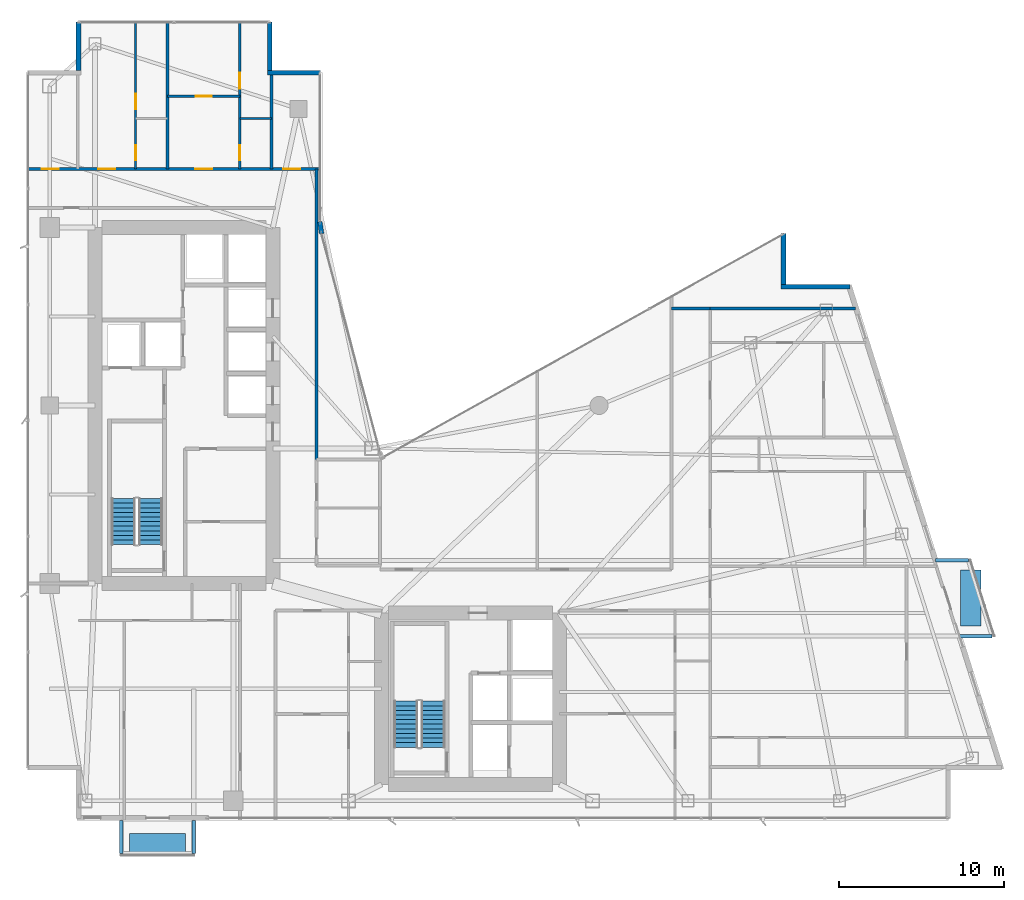
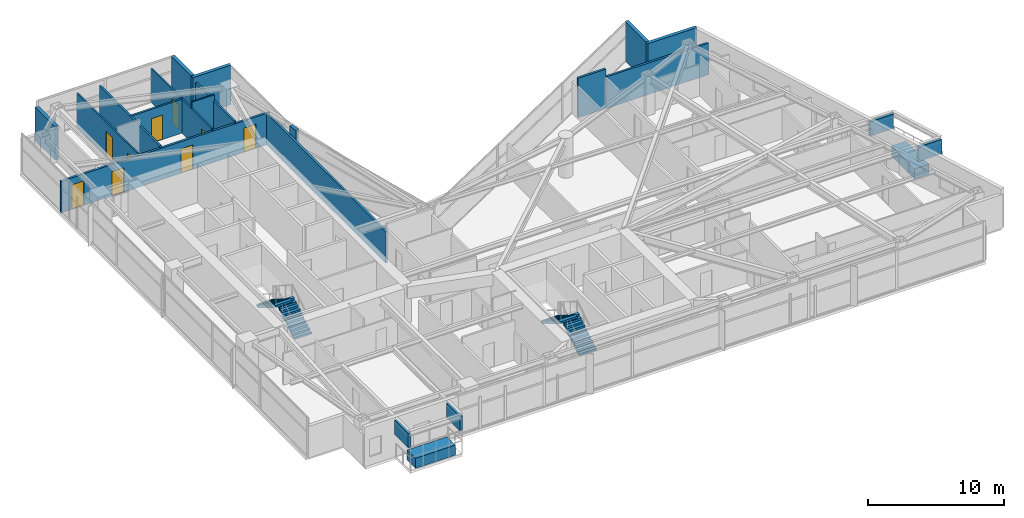
# One storey, part 25 of 28: 16 walls, 9 doors, 6 discrete accessories, 4 stair flights, 9 openings, 2 elements without a shape of their own.
"""IFC4 building model written with IfcOpenShell, lengths in metres."""

from ifc_helpers import new_model, si_unit, direction, frame, frame_2d, origin, origin_2d, place, context, subcontext, project, spatial, polyline, rectangle, outline, extrude, material, layer, layer_set, type_object, element, fill, aggregate, save


model = new_model("IFC4")

# Units and contexts
model_context = context("Model", 3, precision=1e-05, world=origin(), true_north=direction((0.0, 1.0)))
body_context = subcontext(model_context, "Body", "Model", "MODEL_VIEW")
ifc_project = project(units=[si_unit("LENGTHUNIT", "METRE"), si_unit("AREAUNIT", "SQUARE_METRE"), si_unit("VOLUMEUNIT", "CUBIC_METRE"), si_unit("PLANEANGLEUNIT", "RADIAN"), si_unit("MASSUNIT", "GRAM", prefix="KILO")], contexts=[model_context])

# Site, building, storey
site_placement = place(None, origin())
site = spatial("IfcSite", under=ifc_project, at=site_placement, CompositionType="ELEMENT")
building_placement = place(site_placement, origin())
building = spatial("IfcBuilding", under=site, at=building_placement, Name="Calvorn Quay Hotel", CompositionType="ELEMENT")
storey_placement = place(building_placement, frame((0.0, 0.0, 127.800048828125)))
storey = spatial("IfcBuildingStorey", under=building, at=storey_placement, Name="L31", CompositionType="ELEMENT", Elevation=127.800048828125)

# Wall, openings, doors
ifc_material_1 = material(Name="Acoustic Fireboard Steel-Stud Partition", Category="steel")
ifc_layer_1 = layer(ifc_material_1, 0.179931640625)
ifc_layer_set_1 = layer_set([ifc_layer_1], Name="WL-CORR-FIRE-180")
wall_type_1 = type_object("IfcWallType", Name="WL-CORR-FIRE-180", PredefinedType="PARTITIONING", material=ifc_layer_set_1)
wall_1_placement = place(storey_placement, frame((0.080078125, 41.949951171875, 0.0), z_axis=(0.0, 0.0, 1.0), x_axis=(1.0, 0.0, 0.0)))
wall_1 = element("IfcWall", 1, at=wall_1_placement, inside=storey, type_object=wall_type_1, Name="Partition Wall L31-WL-CORR-NW-N", PredefinedType="PARTITIONING", context=body_context, shape_type="SweptSolid", body=[
    extrude(rectangle(XDim=17.77001953125, YDim=0.179931640625, at=frame_2d((8.885009765625, 0.0))), origin(), (0.0, 0.0, 1.0), 2.83984375),
])
opening_1_placement = place(wall_1_placement, frame((0.89990234375, 0.0, 0.0)))
opening_1 = element("IfcOpeningElement", 2, at=opening_1_placement, cuts=wall_1, Name="Opening D-L31-NWW", PredefinedType="OPENING", context=body_context, shape_type="SweptSolid", body=[
    extrude(rectangle(XDim=1.02001953125, YDim=2.199951171875, at=frame_2d((0.510009765625, 1.10009765625))), frame((0.0, 0.099853515625, 0.0), z_axis=(0.0, -1.0, 0.0), x_axis=(1.0, 0.0, 0.0)), (0.0, 0.0, 1.0), 0.199951171875),
])
opening_2_placement = place(wall_1_placement, frame((4.320068359375, 0.0, 0.0)))
opening_2 = element("IfcOpeningElement", 3, at=opening_2_placement, cuts=wall_1, Name="Opening D-L31-U03", PredefinedType="OPENING", context=body_context, shape_type="SweptSolid", body=[
    extrude(rectangle(XDim=1.02001953125, YDim=2.199951171875, at=frame_2d((0.510009765625, 1.10009765625))), frame((0.0, 0.099853515625, 0.0), z_axis=(0.0, -1.0, 0.0), x_axis=(1.0, 0.0, 0.0)), (0.0, 0.0, 1.0), 0.199951171875),
])
opening_3_placement = place(wall_1_placement, frame((10.2099609375, 0.0, 0.0)))
opening_3 = element("IfcOpeningElement", 4, at=opening_3_placement, cuts=wall_1, Name="Opening D-L31-U04", PredefinedType="OPENING", context=body_context, shape_type="SweptSolid", body=[
    extrude(rectangle(XDim=1.02001953125, YDim=2.199951171875, at=frame_2d((0.510009765625, 1.10009765625))), frame((0.0, 0.099853515625, 0.0), z_axis=(0.0, -1.0, 0.0), x_axis=(1.0, 0.0, 0.0)), (0.0, 0.0, 1.0), 0.199951171875),
])
opening_4_placement = place(wall_1_placement, frame((15.550048828125, 0.0, 0.0)))
opening_4 = element("IfcOpeningElement", 5, at=opening_4_placement, cuts=wall_1, Name="Opening D-L31-NWE", PredefinedType="OPENING", context=body_context, shape_type="SweptSolid", body=[
    extrude(rectangle(XDim=1.02001953125, YDim=2.199951171875, at=frame_2d((0.510009765625, 1.10009765625))), frame((0.0, 0.099853515625, 0.0), z_axis=(0.0, -1.0, 0.0), x_axis=(1.0, 0.0, 0.0)), (0.0, 0.0, 1.0), 0.199951171875),
])
ifc_material_2 = material(Name="Solid-Core Walnut Veneer Hotel Fire Door")
door_type_1 = type_object("IfcDoorType", Name="DR-GUEST-ENTRY-1020", OperationType="NOTDEFINED", PredefinedType="DOOR", material=ifc_material_2)
door_1_placement = place(opening_1_placement, origin())
door_1 = element("IfcDoor", 6, at=door_1_placement, inside=storey, type_object=door_type_1, Name="West Corner Study Door (L31)", OperationType="SINGLE_SWING_LEFT", OverallHeight=2.199951171875, OverallWidth=1.02001953125, PredefinedType="DOOR", context=body_context, shape_type="SweptSolid", body=[
    extrude(rectangle(XDim=1.02001953125, YDim=2.199951171875, at=frame_2d((0.510009765625, 1.10009765625))), frame((0.0, 0.02490234375, 0.0), z_axis=(0.0, -1.0, 0.0), x_axis=(1.0, 0.0, 0.0)), (0.0, 0.0, 1.0), 0.050048828125),
])
fill(opening_1, door_1)
door_2_placement = place(opening_2_placement, origin())
door_2 = element("IfcDoor", 7, at=door_2_placement, inside=storey, type_object=door_type_1, Name="North-West Unit Door U03 (L31)", OperationType="SINGLE_SWING_RIGHT", OverallHeight=2.199951171875, OverallWidth=1.02001953125, PredefinedType="DOOR", context=body_context, shape_type="SweptSolid", body=[
    extrude(rectangle(XDim=1.02001953125, YDim=2.199951171875, at=frame_2d((0.510009765625, 1.10009765625))), frame((0.0, 0.02490234375, 0.0), z_axis=(0.0, -1.0, 0.0), x_axis=(1.0, 0.0, 0.0)), (0.0, 0.0, 1.0), 0.050048828125),
])
fill(opening_2, door_2)
door_3_placement = place(opening_3_placement, origin())
door_3 = element("IfcDoor", 8, at=door_3_placement, inside=storey, type_object=door_type_1, Name="North-West Unit Door U04 (L31)", OperationType="SINGLE_SWING_LEFT", OverallHeight=2.199951171875, OverallWidth=1.02001953125, PredefinedType="DOOR", context=body_context, shape_type="SweptSolid", body=[
    extrude(rectangle(XDim=1.02001953125, YDim=2.199951171875, at=frame_2d((0.510009765625, 1.10009765625))), frame((0.0, 0.02490234375, 0.0), z_axis=(0.0, -1.0, 0.0), x_axis=(1.0, 0.0, 0.0)), (0.0, 0.0, 1.0), 0.050048828125),
])
fill(opening_3, door_3)
door_4_placement = place(opening_4_placement, origin())
door_4 = element("IfcDoor", 9, at=door_4_placement, inside=storey, type_object=door_type_1, Name="Inner Court Study Door (L31)", OperationType="SINGLE_SWING_RIGHT", OverallHeight=2.199951171875, OverallWidth=1.02001953125, PredefinedType="DOOR", context=body_context, shape_type="SweptSolid", body=[
    extrude(rectangle(XDim=1.02001953125, YDim=2.199951171875, at=frame_2d((0.510009765625, 1.10009765625))), frame((0.0, 0.02490234375, 0.0), z_axis=(0.0, -1.0, 0.0), x_axis=(1.0, 0.0, 0.0)), (0.0, 0.0, 1.0), 0.050048828125),
])
fill(opening_4, door_4)

# Walls
wall_2_placement = place(storey_placement, frame((17.64990234375, 24.300048828125, 0.0), z_axis=(0.0, 0.0, 1.0), x_axis=(0.0, 1.0, 0.0)))
element("IfcWall", 10, at=wall_2_placement, inside=storey, type_object=wall_type_1, Name="Partition Wall L31-WL-NW-CLOSURE-E", PredefinedType="PARTITIONING", context=body_context, shape_type="SweptSolid", body=[
    extrude(rectangle(XDim=17.64990234375, YDim=0.179931640625, at=frame_2d((8.824951171875, 0.0))), origin(), (0.0, 0.0, 1.0), 2.83984375),
])
wall_3_placement = place(storey_placement, frame((41.550048828125, 33.47998046875, 0.0), z_axis=(0.0, 0.0, 1.0), x_axis=(1.0, 0.0, 0.0)))
element("IfcWall", 11, at=wall_3_placement, inside=storey, type_object=wall_type_1, Name="Partition Wall L31-WL-TIP-N", PredefinedType="PARTITIONING", context=body_context, shape_type="SweptSolid", body=[
    extrude(rectangle(XDim=8.81005859375, YDim=0.179931640625, at=frame_2d((4.405029296875, 0.0))), origin(), (0.0, 0.0, 1.0), 2.83984375),
])
wall_4_placement = place(storey_placement, frame((39.199951171875, 33.47998046875, 0.0), z_axis=(0.0, 0.0, 1.0), x_axis=(1.0, 0.0, 0.0)))
element("IfcWall", 12, at=wall_4_placement, inside=storey, type_object=wall_type_1, Name="Partition Wall L31-WL-CORR-TIP-NN", PredefinedType="PARTITIONING", context=body_context, shape_type="SweptSolid", body=[
    extrude(rectangle(XDim=2.35009765625, YDim=0.179931640625, at=frame_2d((1.175048828125, 0.0))), origin(), (0.0, 0.0, 1.0), 3.56005859375),
])

# Wall, openings, doors
ifc_material_3 = material(Name="Moisture-Resistant Tile-Backed Partition")
ifc_layer_2 = layer(ifc_material_3, 0.125)
ifc_layer_set_2 = layer_set([ifc_layer_2], Name="WL-ENSUITE-125")
wall_type_2 = type_object("IfcWallType", Name="WL-ENSUITE-125", PredefinedType="PARTITIONING", material=ifc_layer_set_2)
wall_5_placement = place(storey_placement, frame((6.669921875, 41.949951171875, 0.0), z_axis=(0.0, 0.0, 1.0), x_axis=(0.0, 1.0, 0.0)))
wall_5 = element("IfcWall", 13, at=wall_5_placement, inside=storey, type_object=wall_type_2, Name="Partition Wall L31-WL-U03-BV", PredefinedType="PARTITIONING", context=body_context, shape_type="SweptSolid", body=[
    extrude(rectangle(XDim=8.989990234375, YDim=0.125, at=frame_2d((4.4951171875, 0.0))), origin(), (0.0, 0.0, 1.0), 3.0400390625),
])
opening_5_placement = place(wall_5_placement, frame((0.550048828125, 0.0, 0.0)))
opening_5 = element("IfcOpeningElement", 14, at=opening_5_placement, cuts=wall_5, Name="Opening D-L31-E03", PredefinedType="OPENING", context=body_context, shape_type="SweptSolid", body=[
    extrude(rectangle(XDim=0.89990234375, YDim=2.14990234375, at=frame_2d((0.449951171875, 1.074951171875))), frame((0.0, 0.072509765625, 0.0), z_axis=(0.0, -1.0, 0.0), x_axis=(1.0, 0.0, 0.0)), (0.0, 0.0, 1.0), 0.14501953125),
])
opening_6_placement = place(wall_5_placement, frame((3.6201171875, 0.0, 0.0)))
opening_6 = element("IfcOpeningElement", 15, at=opening_6_placement, cuts=wall_5, Name="Opening D-L31-S03", PredefinedType="OPENING", context=body_context, shape_type="SweptSolid", body=[
    extrude(rectangle(XDim=0.9599609375, YDim=2.199951171875, at=frame_2d((0.47998046875, 1.10009765625))), frame((0.0, 0.072509765625, 0.0), z_axis=(0.0, -1.0, 0.0), x_axis=(1.0, 0.0, 0.0)), (0.0, 0.0, 1.0), 0.14501953125),
])
ifc_material_4 = material(Name="Moisture-Sealed Timber En-Suite Door", Category="wood")
door_type_2 = type_object("IfcDoorType", Name="DR-ENSUITE-900", OperationType="NOTDEFINED", PredefinedType="DOOR", material=ifc_material_4)
door_5_placement = place(opening_5_placement, origin())
door_5 = element("IfcDoor", 16, at=door_5_placement, inside=storey, type_object=door_type_2, Name="En-Suite Door 03", OperationType="SINGLE_SWING_LEFT", OverallHeight=2.14990234375, OverallWidth=0.89990234375, PredefinedType="DOOR", context=body_context, shape_type="SweptSolid", body=[
    extrude(rectangle(XDim=0.89990234375, YDim=2.14990234375, at=frame_2d((0.449951171875, 1.074951171875))), frame((0.0, 0.02490234375, 0.0), z_axis=(0.0, -1.0, 0.0), x_axis=(1.0, 0.0, 0.0)), (0.0, 0.0, 1.0), 0.050048828125),
])
fill(opening_5, door_5)
ifc_material_5 = material(Name="Solid Timber Internal Suite Door", Category="wood")
door_type_3 = type_object("IfcDoorType", Name="DR-SUITE-INT-960", OperationType="NOTDEFINED", PredefinedType="DOOR", material=ifc_material_5)
door_6_placement = place(opening_6_placement, origin())
door_6 = element("IfcDoor", 17, at=door_6_placement, inside=storey, type_object=door_type_3, Name="Walk-In Wardrobe Door 03", OperationType="SINGLE_SWING_RIGHT", OverallHeight=2.199951171875, OverallWidth=0.9599609375, PredefinedType="DOOR", context=body_context, shape_type="SweptSolid", body=[
    extrude(rectangle(XDim=0.9599609375, YDim=2.199951171875, at=frame_2d((0.47998046875, 1.10009765625))), frame((0.0, 0.02490234375, 0.0), z_axis=(0.0, -1.0, 0.0), x_axis=(1.0, 0.0, 0.0)), (0.0, 0.0, 1.0), 0.050048828125),
])
fill(opening_6, door_6)

# Wall
wall_6_placement = place(storey_placement, frame((12.989990234375, 45.02001953125, 0.0), z_axis=(0.0, 0.0, 1.0), x_axis=(1.0, 0.0, 0.0)))
element("IfcWall", 18, at=wall_6_placement, inside=storey, type_object=wall_type_2, Name="Partition Wall L31-WL-U04-BDV", PredefinedType="PARTITIONING", context=body_context, shape_type="SweptSolid", body=[
    extrude(rectangle(XDim=1.929931640625, YDim=0.125, at=frame_2d((0.96484375, 0.0))), origin(), (0.0, 0.0, 1.0), 3.56005859375),
])

# Wall, openings, doors
wall_7_placement = place(storey_placement, frame((12.989990234375, 41.949951171875, 0.0), z_axis=(0.0, 0.0, 1.0), x_axis=(0.0, 1.0, 0.0)))
wall_7 = element("IfcWall", 19, at=wall_7_placement, inside=storey, type_object=wall_type_2, Name="Partition Wall L31-WL-U04-BV", PredefinedType="PARTITIONING", context=body_context, shape_type="SweptSolid", body=[
    extrude(rectangle(XDim=8.989990234375, YDim=0.125, at=frame_2d((4.4951171875, 0.0))), origin(), (0.0, 0.0, 1.0), 3.0400390625),
])
opening_7_placement = place(wall_7_placement, frame((0.550048828125, 0.0, 0.0)))
opening_7 = element("IfcOpeningElement", 20, at=opening_7_placement, cuts=wall_7, Name="Opening D-L31-E04", PredefinedType="OPENING", context=body_context, shape_type="SweptSolid", body=[
    extrude(rectangle(XDim=0.89990234375, YDim=2.14990234375, at=frame_2d((0.449951171875, 1.074951171875))), frame((0.0, 0.072509765625, 0.0), z_axis=(0.0, -1.0, 0.0), x_axis=(1.0, 0.0, 0.0)), (0.0, 0.0, 1.0), 0.14501953125),
])
opening_8_placement = place(wall_7_placement, frame((4.8798828125, 0.0, 0.0)))
opening_8 = element("IfcOpeningElement", 21, at=opening_8_placement, cuts=wall_7, Name="Opening D-L31-S04", PredefinedType="OPENING", context=body_context, shape_type="SweptSolid", body=[
    extrude(rectangle(XDim=0.9599609375, YDim=2.199951171875, at=frame_2d((0.47998046875, 1.10009765625))), frame((0.0, 0.072509765625, 0.0), z_axis=(0.0, -1.0, 0.0), x_axis=(1.0, 0.0, 0.0)), (0.0, 0.0, 1.0), 0.14501953125),
])
door_7_placement = place(opening_7_placement, origin())
door_7 = element("IfcDoor", 22, at=door_7_placement, inside=storey, type_object=door_type_2, Name="En-Suite Door 04", OperationType="SINGLE_SWING_LEFT", OverallHeight=2.14990234375, OverallWidth=0.89990234375, PredefinedType="DOOR", context=body_context, shape_type="SweptSolid", body=[
    extrude(rectangle(XDim=0.89990234375, YDim=2.14990234375, at=frame_2d((0.449951171875, 1.074951171875))), frame((0.0, 0.02490234375, 0.0), z_axis=(0.0, -1.0, 0.0), x_axis=(1.0, 0.0, 0.0)), (0.0, 0.0, 1.0), 0.050048828125),
])
fill(opening_7, door_7)
door_8_placement = place(opening_8_placement, origin())
door_8 = element("IfcDoor", 23, at=door_8_placement, inside=storey, type_object=door_type_3, Name="Walk-In Wardrobe Door 04", OperationType="SINGLE_SWING_RIGHT", OverallHeight=2.199951171875, OverallWidth=0.9599609375, PredefinedType="DOOR", context=body_context, shape_type="SweptSolid", body=[
    extrude(rectangle(XDim=0.9599609375, YDim=2.199951171875, at=frame_2d((0.47998046875, 1.10009765625))), frame((0.0, 0.02490234375, 0.0), z_axis=(0.0, -1.0, 0.0), x_axis=(1.0, 0.0, 0.0)), (0.0, 0.0, 1.0), 0.050048828125),
])
fill(opening_8, door_8)

# Walls
ifc_material_6 = material(Name="Concrete C40", Category="concrete")
ifc_layer_3 = layer(ifc_material_6, 0.320068359375)
ifc_layer_set_3 = layer_set([ifc_layer_3], Name="WL-EXT-SPANDREL-320")
wall_type_3 = type_object("IfcWallType", Name="WL-EXT-SPANDREL-320", PredefinedType="SOLIDWALL", material=ifc_layer_set_3)
wall_8_placement = place(storey_placement, frame((17.9619140625, 38.030029296875, 0.0), z_axis=(0.0, 0.0, 1.0), x_axis=(-0.15141125477, 0.988470855377, 0.0)))
element("IfcWall", 24, at=wall_8_placement, inside=storey, type_object=wall_type_3, Name="Inner Court Corner Pier L31-ICJ2", PredefinedType="SOLIDWALL", context=body_context, shape_type="SweptSolid", body=[
    extrude(rectangle(XDim=0.738525390625, YDim=0.280029296875, at=frame_2d((0.369140625, 0.0))), origin(), (0.0, 0.0, 1.0), 3.56005859375),
])
wall_9_placement = place(storey_placement, frame((50.0400390625, 34.800048828125, 0.0), z_axis=(0.0, 0.0, 1.0), x_axis=(-1.0, 0.0, 0.0)))
element("IfcWall", 25, at=wall_9_placement, inside=storey, type_object=wall_type_3, Name="Notched Corner Spandrel L31-NE1", PredefinedType="SOLIDWALL", context=body_context, shape_type="SweptSolid", body=[
    extrude(rectangle(XDim=4.179931640625, YDim=0.280029296875, at=frame_2d((2.08984375, 0.0))), origin(), (0.0, 0.0, 1.0), 3.56005859375),
])
wall_10_placement = place(storey_placement, frame((46.0, 34.93994140625, 0.0), z_axis=(0.0, 0.0, 1.0), x_axis=(0.0, 1.0, 0.0)))
element("IfcWall", 26, at=wall_10_placement, inside=storey, type_object=wall_type_3, Name="Notched Corner Spandrel L31-NE2", PredefinedType="SOLIDWALL", context=body_context, shape_type="SweptSolid", body=[
    extrude(rectangle(XDim=3.10009765625, YDim=0.280029296875, at=frame_2d((1.550048828125, 0.0))), origin(), (0.0, 0.0, 1.0), 3.56005859375),
])
wall_11_placement = place(storey_placement, frame((17.89990234375, 47.800048828125, 0.0), z_axis=(0.0, 0.0, 1.0), x_axis=(-1.0, 0.0, 0.0)))
element("IfcWall", 27, at=wall_11_placement, inside=storey, type_object=wall_type_3, Name="Notched Corner Spandrel L31-NWE1", PredefinedType="SOLIDWALL", context=body_context, shape_type="SweptSolid", body=[
    extrude(rectangle(XDim=3.239990234375, YDim=0.280029296875, at=frame_2d((1.6201171875, 0.0))), origin(), (0.0, 0.0, 1.0), 3.56005859375),
])
wall_12_placement = place(storey_placement, frame((14.800048828125, 47.93994140625, 0.0), z_axis=(0.0, 0.0, 1.0), x_axis=(0.0, 1.0, 0.0)))
element("IfcWall", 28, at=wall_12_placement, inside=storey, type_object=wall_type_3, Name="Notched Corner Spandrel L31-NWE2", PredefinedType="SOLIDWALL", context=body_context, shape_type="SweptSolid", body=[
    extrude(rectangle(XDim=2.93994140625, YDim=0.280029296875, at=frame_2d((1.469970703125, 0.0))), origin(), (0.0, 0.0, 1.0), 3.56005859375),
])
wall_13_placement = place(storey_placement, frame((3.199951171875, 50.8798828125, 0.0), z_axis=(0.0, 0.0, 1.0), x_axis=(0.0, -1.0, 0.0)))
element("IfcWall", 29, at=wall_13_placement, inside=storey, type_object=wall_type_3, Name="Notched Corner Spandrel L31-NW1", PredefinedType="SOLIDWALL", context=body_context, shape_type="SweptSolid", body=[
    extrude(rectangle(XDim=2.93994140625, YDim=0.280029296875, at=frame_2d((1.469970703125, 0.0))), origin(), (0.0, 0.0, 1.0), 3.0400390625),
])
ifc_material_7 = material(Name="Double-Stud Acoustic Gypsum Partition")
ifc_layer_4 = layer(ifc_material_7, 0.159912109375)
ifc_layer_set_4 = layer_set([ifc_layer_4], Name="WL-INTERSUITE-160")
wall_type_4 = type_object("IfcWallType", Name="WL-INTERSUITE-160", PredefinedType="PARTITIONING", material=ifc_layer_set_4)
wall_14_placement = place(storey_placement, frame((14.919921875, 41.949951171875, 0.0), z_axis=(0.0, 0.0, 1.0), x_axis=(0.0, 1.0, 0.0)))
element("IfcWall", 30, at=wall_14_placement, inside=storey, type_object=wall_type_4, Name="Partition Wall L31-WL-NW-DIV-E0", PredefinedType="PARTITIONING", context=body_context, shape_type="SweptSolid", body=[
    extrude(rectangle(XDim=5.85009765625, YDim=0.159912109375, at=frame_2d((2.925048828125, 0.0))), origin(), (0.0, 0.0, 1.0), 3.0400390625),
])

# Wall, opening, door
wall_15_placement = place(storey_placement, frame((8.60009765625, 46.3798828125, 0.0), z_axis=(0.0, 0.0, 1.0), x_axis=(1.0, 0.0, 0.0)))
wall_15 = element("IfcWall", 31, at=wall_15_placement, inside=storey, type_object=wall_type_4, Name="Partition Wall L31-WL-U04-MSP", PredefinedType="PARTITIONING", context=body_context, shape_type="SweptSolid", body=[
    extrude(rectangle(XDim=4.389892578125, YDim=0.159912109375, at=frame_2d((2.19482421875, 0.0))), origin(), (0.0, 0.0, 1.0), 3.0400390625),
])
opening_9_placement = place(wall_15_placement, frame((1.719970703125, 0.0, 0.0)))
opening_9 = element("IfcOpeningElement", 32, at=opening_9_placement, cuts=wall_15, Name="Opening D-L31-M04", PredefinedType="OPENING", context=body_context, shape_type="SweptSolid", body=[
    extrude(rectangle(XDim=0.9599609375, YDim=2.199951171875, at=frame_2d((0.47998046875, 1.10009765625))), frame((0.0, 0.08984375, 0.0), z_axis=(0.0, -1.0, 0.0), x_axis=(1.0, 0.0, 0.0)), (0.0, 0.0, 1.0), 0.179931640625),
])
door_9_placement = place(opening_9_placement, origin())
door_9 = element("IfcDoor", 33, at=door_9_placement, inside=storey, type_object=door_type_3, Name="Suite Bedroom Door 04", OperationType="SINGLE_SWING_LEFT", OverallHeight=2.199951171875, OverallWidth=0.9599609375, PredefinedType="DOOR", context=body_context, shape_type="SweptSolid", body=[
    extrude(rectangle(XDim=0.9599609375, YDim=2.199951171875, at=frame_2d((0.47998046875, 1.10009765625))), frame((0.0, 0.02490234375, 0.0), z_axis=(0.0, -1.0, 0.0), x_axis=(1.0, 0.0, 0.0)), (0.0, 0.0, 1.0), 0.050048828125),
])
fill(opening_9, door_9)

# Wall
wall_16_placement = place(storey_placement, frame((8.60009765625, 41.949951171875, 0.0), z_axis=(0.0, 0.0, 1.0), x_axis=(0.0, 1.0, 0.0)))
element("IfcWall", 34, at=wall_16_placement, inside=storey, type_object=wall_type_4, Name="Partition Wall L31-WL-NW-DIV-1", PredefinedType="PARTITIONING", context=body_context, shape_type="SweptSolid", body=[
    extrude(rectangle(XDim=8.989990234375, YDim=0.159912109375, at=frame_2d((4.4951171875, 0.0))), origin(), (0.0, 0.0, 1.0), 3.0400390625),
])

# Stair, stair flights
ifc_material_8 = material(Name="Concrete C40", Category="concrete")
stair_type = type_object("IfcStairType", Name="STR-CORE-DOGLEG", PredefinedType="HALF_TURN_STAIR", material=ifc_material_8)
stair_1_placement = place(storey_placement, origin())
stair_1 = element("IfcStair", 35, at=stair_1_placement, inside=storey, type_object=stair_type, Name="L31 ST-W", PredefinedType="HALF_TURN_STAIR")
ifc_material_9 = material(Name="Concrete C40", Category="concrete")
stair_flight_type = type_object("IfcStairFlightType", Name="FLT-CORE-1550", PredefinedType="STRAIGHT", material=ifc_material_9)
stair_flight_1_placement = place(storey_placement, frame((7.574951171875, 19.14990234375, 0.0), z_axis=(0.0, 0.0, 1.0), x_axis=(0.0, 1.0, 0.0)))
stair_flight_1 = element("IfcStairFlight", 36, at=stair_flight_1_placement, type_object=stair_flight_type, Name="ST-W flight 1", NumberOfRisers=11, NumberOfTreads=10, PredefinedType="STRAIGHT", RiserHeight=0.172727273, TreadLength=0.28, context=body_context, shape_type="SweptSolid", body=[
    extrude(outline(polyline([(0.0, 0.0), (0.0, 0.172607421875), (0.280029296875, 0.172607421875), (0.280029296875, 0.345458984375), (0.56005859375, 0.345458984375), (0.56005859375, 0.51806640625), (0.840087890625, 0.51806640625), (0.840087890625, 0.69091796875), (1.1201171875, 0.69091796875), (1.1201171875, 0.863525390625), (1.39990234375, 0.863525390625), (1.39990234375, 1.036376953125), (1.679931640625, 1.036376953125), (1.679931640625, 1.208984375), (1.9599609375, 1.208984375), (1.9599609375, 1.3818359375), (2.239990234375, 1.3818359375), (2.239990234375, 1.554443359375), (2.52001953125, 1.554443359375), (2.52001953125, 1.727294921875), (2.800048828125, 1.727294921875), (2.800048828125, 1.89990234375), (2.800048828125, 1.551025390625), (0.285400390625, 0.0), (0.0, 0.0)])), frame((0.0, 0.72509765625, 0.0), z_axis=(0.0, -1.0, 0.0), x_axis=(1.0, 0.0, 0.0)), (0.0, 0.0, 1.0), 1.449951171875),
])
stair_flight_2_placement = place(storey_placement, frame((5.925048828125, 21.949951171875, 1.89990234375), z_axis=(0.0, 0.0, 1.0), x_axis=(0.0, -1.0, 0.0)))
stair_flight_2 = element("IfcStairFlight", 37, at=stair_flight_2_placement, type_object=stair_flight_type, Name="ST-W flight 2", NumberOfRisers=11, NumberOfTreads=10, PredefinedType="STRAIGHT", RiserHeight=0.172727273, TreadLength=0.28, context=body_context, shape_type="SweptSolid", body=[
    extrude(outline(polyline([(0.0, 0.0), (0.0, 0.172607421875), (0.280029296875, 0.172607421875), (0.280029296875, 0.345458984375), (0.56005859375, 0.345458984375), (0.56005859375, 0.51806640625), (0.840087890625, 0.51806640625), (0.840087890625, 0.69091796875), (1.1201171875, 0.69091796875), (1.1201171875, 0.863525390625), (1.39990234375, 0.863525390625), (1.39990234375, 1.036376953125), (1.679931640625, 1.036376953125), (1.679931640625, 1.208984375), (1.9599609375, 1.208984375), (1.9599609375, 1.3818359375), (2.239990234375, 1.3818359375), (2.239990234375, 1.554443359375), (2.52001953125, 1.554443359375), (2.52001953125, 1.727294921875), (2.800048828125, 1.727294921875), (2.800048828125, 1.89990234375), (2.800048828125, 1.551025390625), (0.285400390625, 0.0), (0.0, 0.0)])), frame((0.0, 0.72509765625, 0.0), z_axis=(0.0, -1.0, 0.0), x_axis=(1.0, 0.0, 0.0)), (0.0, 0.0, 1.0), 1.449951171875),
])
aggregate(stair_1, [stair_flight_1, stair_flight_2])

stair_2_placement = place(storey_placement, origin())
stair_2 = element("IfcStair", 38, at=stair_2_placement, inside=storey, type_object=stair_type, Name="L31 ST-E", PredefinedType="HALF_TURN_STAIR")
stair_flight_3_placement = place(storey_placement, frame((24.72509765625, 6.85009765625, 0.0), z_axis=(0.0, 0.0, 1.0), x_axis=(0.0, 1.0, 0.0)))
stair_flight_3 = element("IfcStairFlight", 39, at=stair_flight_3_placement, type_object=stair_flight_type, Name="ST-E flight 1", NumberOfRisers=11, NumberOfTreads=10, PredefinedType="STRAIGHT", RiserHeight=0.172727273, TreadLength=0.28, context=body_context, shape_type="SweptSolid", body=[
    extrude(outline(polyline([(0.0, 0.0), (0.0, 0.172607421875), (0.280029296875, 0.172607421875), (0.280029296875, 0.345458984375), (0.56005859375, 0.345458984375), (0.56005859375, 0.51806640625), (0.840087890625, 0.51806640625), (0.840087890625, 0.69091796875), (1.1201171875, 0.69091796875), (1.1201171875, 0.863525390625), (1.39990234375, 0.863525390625), (1.39990234375, 1.036376953125), (1.679931640625, 1.036376953125), (1.679931640625, 1.208984375), (1.9599609375, 1.208984375), (1.9599609375, 1.3818359375), (2.239990234375, 1.3818359375), (2.239990234375, 1.554443359375), (2.52001953125, 1.554443359375), (2.52001953125, 1.727294921875), (2.800048828125, 1.727294921875), (2.800048828125, 1.89990234375), (2.800048828125, 1.551025390625), (0.285400390625, 0.0), (0.0, 0.0)])), frame((0.0, 0.72509765625, 0.0), z_axis=(0.0, -1.0, 0.0), x_axis=(1.0, 0.0, 0.0)), (0.0, 0.0, 1.0), 1.449951171875),
])
stair_flight_4_placement = place(storey_placement, frame((23.074951171875, 9.64990234375, 1.89990234375), z_axis=(0.0, 0.0, 1.0), x_axis=(0.0, -1.0, 0.0)))
stair_flight_4 = element("IfcStairFlight", 40, at=stair_flight_4_placement, type_object=stair_flight_type, Name="ST-E flight 2", NumberOfRisers=11, NumberOfTreads=10, PredefinedType="STRAIGHT", RiserHeight=0.172727273, TreadLength=0.28, context=body_context, shape_type="SweptSolid", body=[
    extrude(outline(polyline([(0.0, 0.0), (0.0, 0.172607421875), (0.280029296875, 0.172607421875), (0.280029296875, 0.345458984375), (0.56005859375, 0.345458984375), (0.56005859375, 0.51806640625), (0.840087890625, 0.51806640625), (0.840087890625, 0.69091796875), (1.1201171875, 0.69091796875), (1.1201171875, 0.863525390625), (1.39990234375, 0.863525390625), (1.39990234375, 1.036376953125), (1.679931640625, 1.036376953125), (1.679931640625, 1.208984375), (1.9599609375, 1.208984375), (1.9599609375, 1.3818359375), (2.239990234375, 1.3818359375), (2.239990234375, 1.554443359375), (2.52001953125, 1.554443359375), (2.52001953125, 1.727294921875), (2.800048828125, 1.727294921875), (2.800048828125, 1.89990234375), (2.800048828125, 1.551025390625), (0.285400390625, 0.0), (0.0, 0.0)])), frame((0.0, 0.72509765625, 0.0), z_axis=(0.0, -1.0, 0.0), x_axis=(1.0, 0.0, 0.0)), (0.0, 0.0, 1.0), 1.449951171875),
])
aggregate(stair_2, [stair_flight_3, stair_flight_4])

# Discrete accessories
ifc_material_10 = material(Name="Steel Q355B", Category="steel")
discrete_accessory_type_1 = type_object("IfcDiscreteAccessoryType", Name="ACC-BALC-STRUT", PredefinedType="BRACKET", material=ifc_material_10)
for number, where, z_axis, x_axis, name in (
    (41, (57.674072265625, 13.60009765625, 2.01513671875), (0.0, 0.0, 1.0), (1.0, 0.0, 0.0), "Exterior Balcony Steel Bracket L32-BALC-E-A"),
    (42, (56.22509765625, 18.199951171875, 2.01513671875), (0.0, 0.0, 1.0), (1.0, 0.0, 0.0), "Exterior Balcony Steel Bracket L32-BALC-E-B"),
):
    element("IfcDiscreteAccessory", number, at=place(storey_placement, frame(where, z_axis=z_axis, x_axis=x_axis)), inside=storey, type_object=discrete_accessory_type_1, Name=name, PredefinedType="BRACKET", context=body_context, shape_type="SweptSolid", body=[
        extrude(rectangle(XDim=1.989990234375, YDim=0.219970703125, at=origin_2d()), origin(), (0.0, 0.0, 1.0), 1.300048828125),
    ])
for number, where, z_axis, x_axis, name in (
    (43, (5.800048828125, 1.405029296875, 2.01513671875), (0.0, 0.0, 1.0), (1.0, 0.0, 0.0), "Exterior Balcony Steel Bracket L32-BALC-S-A"),
    (44, (10.199951171875, 1.405029296875, 2.01513671875), (0.0, 0.0, 1.0), (1.0, 0.0, 0.0), "Exterior Balcony Steel Bracket L32-BALC-S-B"),
):
    element("IfcDiscreteAccessory", number, at=place(storey_placement, frame(where, z_axis=z_axis, x_axis=x_axis)), inside=storey, type_object=discrete_accessory_type_1, Name=name, PredefinedType="BRACKET", context=body_context, shape_type="SweptSolid", body=[
        extrude(rectangle(XDim=0.219970703125, YDim=1.989990234375, at=origin_2d()), origin(), (0.0, 0.0, 1.0), 1.300048828125),
    ])
ifc_material_11 = material(Name="Precast concrete C40", Category="concrete")
discrete_accessory_type_2 = type_object("IfcDiscreteAccessoryType", Name="ACC-TREE-PLANTER", PredefinedType="USERDEFINED", material=ifc_material_11)
discrete_accessory_1_placement = place(storey_placement, frame((57.364013671875, 15.89990234375, 0.0), z_axis=(0.0, 0.0, 1.0), x_axis=(1.0, 0.0, 0.0)))
element("IfcDiscreteAccessory", 45, at=discrete_accessory_1_placement, inside=storey, type_object=discrete_accessory_type_2, Name="Subtropical Tree Structural Planter L31-BALC-E", ObjectType="PLANTER", PredefinedType="USERDEFINED", context=body_context, shape_type="SweptSolid", body=[
    extrude(rectangle(XDim=1.25, YDim=3.39990234375, at=origin_2d()), origin(), (0.0, 0.0, 1.0), 0.89990234375),
])
discrete_accessory_2_placement = place(storey_placement, frame((8.0, 0.989990234375, 0.0), z_axis=(0.0, 0.0, 1.0), x_axis=(1.0, 0.0, 0.0)))
element("IfcDiscreteAccessory", 46, at=discrete_accessory_2_placement, inside=storey, type_object=discrete_accessory_type_2, Name="Subtropical Tree Structural Planter L31-BALC-S", ObjectType="PLANTER", PredefinedType="USERDEFINED", context=body_context, shape_type="SweptSolid", body=[
    extrude(rectangle(XDim=3.39990234375, YDim=1.25, at=origin_2d()), origin(), (0.0, 0.0, 1.0), 0.89990234375),
])

save(model, "model.ifc")
